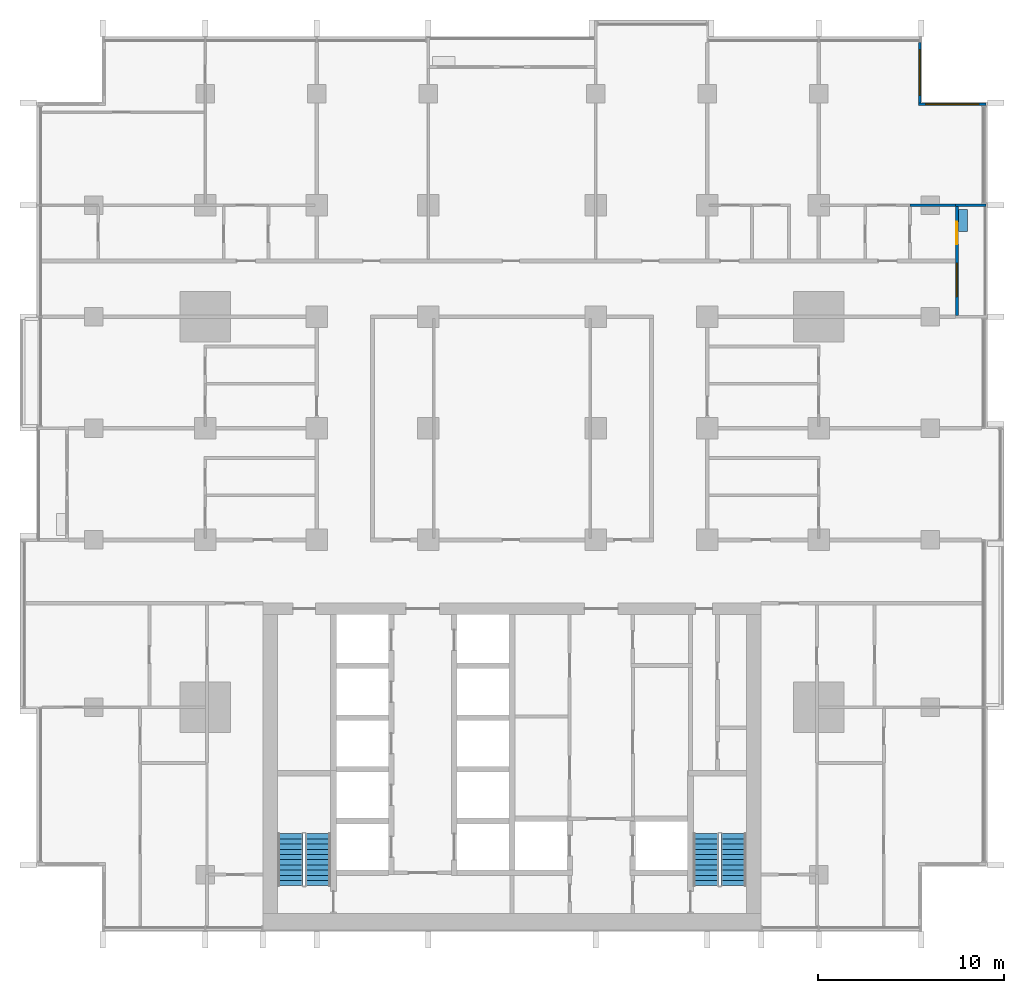
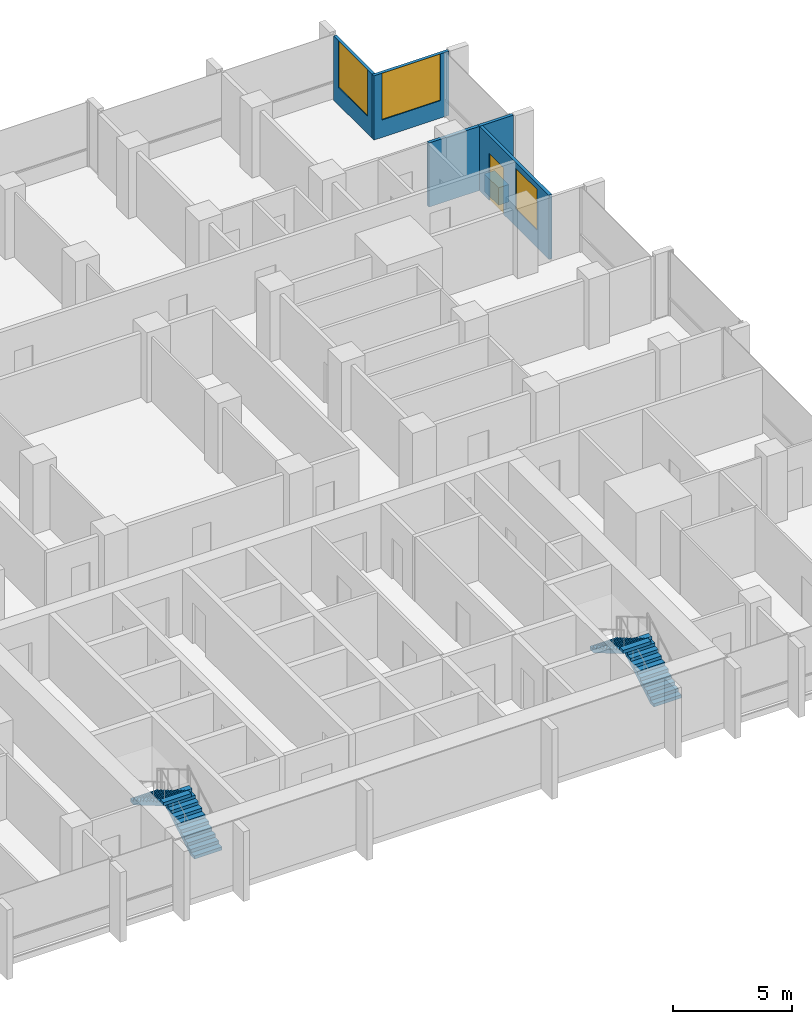
# One storey, part 12 of 17: 6 walls, 4 stair flights, 3 windows, 1 door, 4 openings, 2 elements without a shape of their own.
"""IFC4 building model written with IfcOpenShell, lengths in metres."""

from ifc_helpers import new_model, si_unit, direction, frame, frame_2d, origin, place, context, subcontext, project, spatial, polyline, rectangle, outline, extrude, material, layer, layer_set, type_object, element, fill, aggregate, save


model = new_model("IFC4")

# Units and contexts
model_context = context("Model", 3, precision=1e-05, world=origin(), true_north=direction((0.0, 1.0)))
body_context = subcontext(model_context, "Body", "Model", "MODEL_VIEW")
ifc_project = project(units=[si_unit("LENGTHUNIT", "METRE"), si_unit("AREAUNIT", "SQUARE_METRE"), si_unit("VOLUMEUNIT", "CUBIC_METRE"), si_unit("PLANEANGLEUNIT", "RADIAN"), si_unit("MASSUNIT", "GRAM", prefix="KILO")], contexts=[model_context])

# Site, building, storey
site_placement = place(None, origin())
site = spatial("IfcSite", under=ifc_project, at=site_placement, CompositionType="ELEMENT")
building_placement = place(site_placement, origin())
building = spatial("IfcBuilding", under=site, at=building_placement, Name="Finial Court Residences", CompositionType="ELEMENT")
storey_placement = place(building_placement, frame((0.0, 0.0, 113.5)))
storey = spatial("IfcBuildingStorey", under=building, at=storey_placement, Name="L28", CompositionType="ELEMENT", Elevation=113.5)

# Wall
ifc_material_1 = material(Name="Moisture-resistant gypsum board")
ifc_layer_1 = layer(ifc_material_1, 0.012451171875)
ifc_material_2 = material(Name="Mineral wool in light-gauge frame")
ifc_layer_2 = layer(ifc_material_2, 0.125)
ifc_layer_3 = layer(ifc_material_1, 0.012451171875)
ifc_layer_set_1 = layer_set([ifc_layer_1, ifc_layer_2, ifc_layer_3], Name="Gypsum board wet-area partition 150")
wall_type_1 = type_object("IfcWallType", Name="Gypsum board wet-area partition 150", PredefinedType="PARTITIONING", material=ifc_layer_set_1)
wall_1_placement = place(storey_placement, frame((21.39990234375, 13.5, 0.0), z_axis=(0.0, 0.0, 1.0), x_axis=(1.0, 0.0, 0.0)))
element("IfcWall", 1, at=wall_1_placement, inside=storey, type_object=wall_type_1, Name="Partition L28-035", PredefinedType="PARTITIONING", context=body_context, shape_type="SweptSolid", body=[
    extrude(rectangle(XDim=2.4501953125, YDim=0.14990234375, at=frame_2d((1.22509765625, 0.0))), origin(), (0.0, 0.0, 1.0), 3.300048828125),
])

# Wall, opening, window
ifc_material_3 = material(Name="Natural limestone", Category="masonry")
ifc_layer_4 = layer(ifc_material_3, 0.14990234375)
ifc_layer_set_2 = layer_set([ifc_layer_4], Name="Limestone clad wall 150")
wall_type_2 = type_object("IfcWallType", Name="Limestone clad wall 150", PredefinedType="SOLIDWALL", material=ifc_layer_set_2)
wall_2_placement = place(storey_placement, frame((21.925048828125, 22.25, 0.0), z_axis=(0.0, 0.0, 1.0), x_axis=(0.0, -1.0, 0.0)))
wall_2 = element("IfcWall", 2, at=wall_2_placement, inside=storey, type_object=wall_type_2, Name="E-L28-NWE19", PredefinedType="SOLIDWALL", context=body_context, shape_type="SweptSolid", body=[
    extrude(rectangle(XDim=3.25, YDim=0.14990234375, at=frame_2d((1.625, 0.0))), origin(), (0.0, 0.0, 1.0), 3.300048828125),
])
opening_1_placement = place(wall_2_placement, frame((0.39990234375, 0.0, 0.89990234375)))
opening_1 = element("IfcOpeningElement", 3, at=opening_1_placement, cuts=wall_2, Name="Opening WE28-07", PredefinedType="OPENING", context=body_context, shape_type="SweptSolid", body=[
    extrude(rectangle(XDim=2.449951171875, YDim=2.39990234375, at=frame_2d((1.22509765625, 1.199951171875))), frame((0.0, 0.0849609375, 0.0), z_axis=(0.0, -1.0, 0.0), x_axis=(1.0, 0.0, 0.0)), (0.0, 0.0, 1.0), 0.169921875),
])
ifc_material_4 = material(Name="Clear low-e glass", Category="glass")
window_type_1 = type_object("IfcWindowType", Name="Corner window 2450 x 2400", PartitioningType="SINGLE_PANEL", PredefinedType="WINDOW", material=ifc_material_4)
window_1_placement = place(opening_1_placement, origin())
window_1 = element("IfcWindow", 4, at=window_1_placement, inside=storey, type_object=window_type_1, Name="E-L28-NWE19-W1", OverallHeight=2.39990234375, OverallWidth=2.449951171875, PartitioningType="SINGLE_PANEL", PredefinedType="WINDOW", context=body_context, shape_type="SweptSolid", body=[
    extrude(rectangle(XDim=2.449951171875, YDim=2.39990234375, at=frame_2d((1.22509765625, 1.199951171875))), frame((0.0, 0.030029296875, 0.0), z_axis=(0.0, -1.0, 0.0), x_axis=(1.0, 0.0, 0.0)), (0.0, 0.0, 1.0), 0.06005859375),
])
fill(opening_1, window_1)

wall_3_placement = place(storey_placement, frame((21.85009765625, 18.925048828125, 0.0), z_axis=(0.0, 0.0, 1.0), x_axis=(1.0, 0.0, 0.0)))
wall_3 = element("IfcWall", 5, at=wall_3_placement, inside=storey, type_object=wall_type_2, Name="E-L28-NWN20", PredefinedType="SOLIDWALL", context=body_context, shape_type="SweptSolid", body=[
    extrude(rectangle(XDim=3.64990234375, YDim=0.14990234375, at=frame_2d((1.824951171875, 0.0))), origin(), (0.0, 0.0, 1.0), 3.300048828125),
])
opening_2_placement = place(wall_3_placement, frame((0.39990234375, 0.0, 0.89990234375)))
opening_2 = element("IfcOpeningElement", 6, at=opening_2_placement, cuts=wall_3, Name="Opening WE28-08", PredefinedType="OPENING", context=body_context, shape_type="SweptSolid", body=[
    extrude(rectangle(XDim=2.85009765625, YDim=2.39990234375, at=frame_2d((1.425048828125, 1.199951171875))), frame((0.0, 0.0849609375, 0.0), z_axis=(0.0, -1.0, 0.0), x_axis=(1.0, 0.0, 0.0)), (0.0, 0.0, 1.0), 0.169921875),
])
window_type_2 = type_object("IfcWindowType", Name="Corner window 2850 x 2400", PartitioningType="SINGLE_PANEL", PredefinedType="WINDOW", material=ifc_material_4)
window_2_placement = place(opening_2_placement, origin())
window_2 = element("IfcWindow", 7, at=window_2_placement, inside=storey, type_object=window_type_2, Name="E-L28-NWN20-W1", OverallHeight=2.39990234375, OverallWidth=2.85009765625, PartitioningType="SINGLE_PANEL", PredefinedType="WINDOW", context=body_context, shape_type="SweptSolid", body=[
    extrude(rectangle(XDim=2.85009765625, YDim=2.39990234375, at=frame_2d((1.425048828125, 1.199951171875))), frame((0.0, 0.030029296875, 0.0), z_axis=(0.0, -1.0, 0.0), x_axis=(1.0, 0.0, 0.0)), (0.0, 0.0, 1.0), 0.06005859375),
])
fill(opening_2, window_2)

# Wall
wall_4_placement = place(storey_placement, frame((23.85009765625, 13.5, 0.0), z_axis=(0.0, 0.0, 1.0), x_axis=(1.0, 0.0, 0.0)))
element("IfcWall", 8, at=wall_4_placement, inside=storey, type_object=wall_type_2, Name="E-L28-BALE5-P2", PredefinedType="SOLIDWALL", context=body_context, shape_type="SweptSolid", body=[
    extrude(rectangle(XDim=1.64990234375, YDim=0.14990234375, at=frame_2d((0.824951171875, 0.0))), origin(), (0.0, 0.0, 1.0), 3.300048828125),
])

# Wall, openings, door, window
wall_5_placement = place(storey_placement, frame((23.925048828125, 13.425048828125, 0.0), z_axis=(0.0, 0.0, 1.0), x_axis=(0.0, -1.0, 0.0)))
wall_5 = element("IfcWall", 9, at=wall_5_placement, inside=storey, type_object=wall_type_2, Name="E-L28-L28-BALE5-W", PredefinedType="SOLIDWALL", context=body_context, shape_type="SweptSolid", body=[
    extrude(rectangle(XDim=5.85009765625, YDim=0.14990234375, at=frame_2d((2.925048828125, 0.0))), origin(), (0.0, 0.0, 1.0), 3.300048828125),
])
opening_3_placement = place(wall_5_placement, frame((0.824951171875, 0.0, 0.0)))
opening_3 = element("IfcOpeningElement", 10, at=opening_3_placement, cuts=wall_5, Name="Opening DE28-02", PredefinedType="OPENING", context=body_context, shape_type="SweptSolid", body=[
    extrude(rectangle(XDim=1.199951171875, YDim=2.39990234375, at=frame_2d((0.60009765625, 1.199951171875))), frame((0.0, 0.0849609375, 0.0), z_axis=(0.0, -1.0, 0.0), x_axis=(1.0, 0.0, 0.0)), (0.0, 0.0, 1.0), 0.169921875),
])
opening_4_placement = place(wall_5_placement, frame((3.03759765625, 0.0, 0.89990234375)))
opening_4 = element("IfcOpeningElement", 11, at=opening_4_placement, cuts=wall_5, Name="Opening WE28-11", PredefinedType="OPENING", context=body_context, shape_type="SweptSolid", body=[
    extrude(rectangle(XDim=1.800048828125, YDim=2.10009765625, at=frame_2d((0.89990234375, 1.050048828125))), frame((0.0, 0.0849609375, 0.0), z_axis=(0.0, -1.0, 0.0), x_axis=(1.0, 0.0, 0.0)), (0.0, 0.0, 1.0), 0.169921875),
])
ifc_material_5 = material(Name="Bronze anodised aluminium", Category="aluminium")
door_type = type_object("IfcDoorType", Name="Balcony door 1200 x 2400", OperationType="SINGLE_SWING_LEFT", PredefinedType="DOOR", material=ifc_material_5)
door_placement = place(opening_3_placement, origin())
door = element("IfcDoor", 12, at=door_placement, inside=storey, type_object=door_type, Name="E-L28-L28-BALE5-W-D", OperationType="SINGLE_SWING_LEFT", OverallHeight=2.39990234375, OverallWidth=1.199951171875, PredefinedType="DOOR", context=body_context, shape_type="SweptSolid", body=[
    extrude(rectangle(XDim=1.199951171875, YDim=2.39990234375, at=frame_2d((0.60009765625, 1.199951171875))), frame((0.0, 0.02490234375, 0.0), z_axis=(0.0, -1.0, 0.0), x_axis=(1.0, 0.0, 0.0)), (0.0, 0.0, 1.0), 0.050048828125),
])
fill(opening_3, door)
window_type_3 = type_object("IfcWindowType", Name="Balcony window 1800 x 2100", PartitioningType="SINGLE_PANEL", PredefinedType="WINDOW", material=ifc_material_4)
window_3_placement = place(opening_4_placement, origin())
window_3 = element("IfcWindow", 13, at=window_3_placement, inside=storey, type_object=window_type_3, Name="E-L28-L28-BALE5-W-W1", OverallHeight=2.10009765625, OverallWidth=1.800048828125, PartitioningType="SINGLE_PANEL", PredefinedType="WINDOW", context=body_context, shape_type="SweptSolid", body=[
    extrude(rectangle(XDim=1.800048828125, YDim=2.10009765625, at=frame_2d((0.89990234375, 1.050048828125))), frame((0.0, 0.030029296875, 0.0), z_axis=(0.0, -1.0, 0.0), x_axis=(1.0, 0.0, 0.0)), (0.0, 0.0, 1.0), 0.06005859375),
])
fill(opening_4, window_3)

# Wall
ifc_material_6 = material(Name="Concrete C40/50", Category="concrete")
ifc_layer_5 = layer(ifc_material_6, 0.10009765625)
ifc_material_7 = material(Name="Planting soil", Category="soil")
ifc_layer_6 = layer(ifc_material_7, 0.300048828125)
ifc_layer_7 = layer(ifc_material_6, 0.10009765625)
ifc_layer_set_3 = layer_set([ifc_layer_5, ifc_layer_6, ifc_layer_7], Name="Planter wall, balcony")
wall_type_3 = type_object("IfcWallType", Name="Planter wall, balcony", PredefinedType="USERDEFINED", material=ifc_layer_set_3)
wall_6_placement = place(storey_placement, frame((24.25, 12.074951171875, 0.0), z_axis=(0.0, 0.0, 1.0), x_axis=(0.0, 1.0, 0.0)))
element("IfcWall", 14, at=wall_6_placement, inside=storey, type_object=wall_type_3, Name="E-L28-BALE5-PL", ObjectType="PLANTER", PredefinedType="USERDEFINED", context=body_context, shape_type="SweptSolid", body=[
    extrude(rectangle(XDim=1.199951171875, YDim=0.5, at=frame_2d((0.60009765625, 0.0))), origin(), (0.0, 0.0, 1.0), 0.89990234375),
])

# Stair, stair flights
ifc_material_8 = material(Name="Concrete C50/60", Category="concrete")
stair_type = type_object("IfcStairType", Name="Exit stair 22 risers of 163.6 mm", PredefinedType="HALF_TURN_STAIR", material=ifc_material_8)
stair_1_placement = place(storey_placement, origin())
stair_1 = element("IfcStair", 15, at=stair_1_placement, inside=storey, type_object=stair_type, Name="L28 Exit stair ST-1", PredefinedType="HALF_TURN_STAIR")
stair_flight_type = type_object("IfcStairFlightType", Name="Exit stair flight", PredefinedType="STRAIGHT", material=ifc_material_8)
stair_flight_1_placement = place(storey_placement, frame((-10.425048828125, -23.10009765625, 0.0), z_axis=(0.0, 0.0, 1.0), x_axis=(0.0, 1.0, 0.0)))
stair_flight_1 = element("IfcStairFlight", 16, at=stair_flight_1_placement, type_object=stair_flight_type, Name="ST-1 flight 1", NumberOfRisers=11, NumberOfTreads=10, PredefinedType="STRAIGHT", RiserHeight=0.163636364, TreadLength=0.28, context=body_context, shape_type="SweptSolid", body=[
    extrude(outline(polyline([(0.0, 0.0), (0.0, 0.16357421875), (0.280029296875, 0.16357421875), (0.280029296875, 0.327392578125), (0.56005859375, 0.327392578125), (0.56005859375, 0.490966796875), (0.840087890625, 0.490966796875), (0.840087890625, 0.654541015625), (1.1201171875, 0.654541015625), (1.1201171875, 0.818115234375), (1.39990234375, 0.818115234375), (1.39990234375, 0.98193359375), (1.679931640625, 0.98193359375), (1.679931640625, 1.1455078125), (1.9599609375, 1.1455078125), (1.9599609375, 1.30908203125), (2.239990234375, 1.30908203125), (2.239990234375, 1.47265625), (2.52001953125, 1.47265625), (2.52001953125, 1.636474609375), (2.800048828125, 1.636474609375), (2.800048828125, 1.800048828125), (2.800048828125, 1.462646484375), (0.297119140625, 0.0), (0.0, 0.0)])), frame((0.0, 0.675048828125, 0.0), z_axis=(0.0, -1.0, 0.0), x_axis=(1.0, 0.0, 0.0)), (0.0, 0.0, 1.0), 1.35009765625),
])
stair_flight_2_placement = place(storey_placement, frame((-11.925048828125, -20.300048828125, 1.800048828125), z_axis=(0.0, 0.0, 1.0), x_axis=(0.0, -1.0, 0.0)))
stair_flight_2 = element("IfcStairFlight", 17, at=stair_flight_2_placement, type_object=stair_flight_type, Name="ST-1 flight 2", NumberOfRisers=11, NumberOfTreads=10, PredefinedType="STRAIGHT", RiserHeight=0.163636364, TreadLength=0.28, context=body_context, shape_type="SweptSolid", body=[
    extrude(outline(polyline([(0.0, 0.0), (0.0, 0.16357421875), (0.280029296875, 0.16357421875), (0.280029296875, 0.327392578125), (0.56005859375, 0.327392578125), (0.56005859375, 0.490966796875), (0.840087890625, 0.490966796875), (0.840087890625, 0.654541015625), (1.1201171875, 0.654541015625), (1.1201171875, 0.818115234375), (1.39990234375, 0.818115234375), (1.39990234375, 0.98193359375), (1.679931640625, 0.98193359375), (1.679931640625, 1.1455078125), (1.9599609375, 1.1455078125), (1.9599609375, 1.30908203125), (2.239990234375, 1.30908203125), (2.239990234375, 1.47265625), (2.52001953125, 1.47265625), (2.52001953125, 1.636474609375), (2.800048828125, 1.636474609375), (2.800048828125, 1.800048828125), (2.800048828125, 1.462646484375), (0.297119140625, 0.0), (0.0, 0.0)])), frame((0.0, 0.675048828125, 0.0), z_axis=(0.0, -1.0, 0.0), x_axis=(1.0, 0.0, 0.0)), (0.0, 0.0, 1.0), 1.35009765625),
])
aggregate(stair_1, [stair_flight_1, stair_flight_2])

stair_2_placement = place(storey_placement, origin())
stair_2 = element("IfcStair", 18, at=stair_2_placement, inside=storey, type_object=stair_type, Name="L28 Exit stair ST-2", PredefinedType="HALF_TURN_STAIR")
stair_flight_3_placement = place(storey_placement, frame((11.925048828125, -23.10009765625, 0.0), z_axis=(0.0, 0.0, 1.0), x_axis=(0.0, 1.0, 0.0)))
stair_flight_3 = element("IfcStairFlight", 19, at=stair_flight_3_placement, type_object=stair_flight_type, Name="ST-2 flight 1", NumberOfRisers=11, NumberOfTreads=10, PredefinedType="STRAIGHT", RiserHeight=0.163636364, TreadLength=0.28, context=body_context, shape_type="SweptSolid", body=[
    extrude(outline(polyline([(0.0, 0.0), (0.0, 0.16357421875), (0.280029296875, 0.16357421875), (0.280029296875, 0.327392578125), (0.56005859375, 0.327392578125), (0.56005859375, 0.490966796875), (0.840087890625, 0.490966796875), (0.840087890625, 0.654541015625), (1.1201171875, 0.654541015625), (1.1201171875, 0.818115234375), (1.39990234375, 0.818115234375), (1.39990234375, 0.98193359375), (1.679931640625, 0.98193359375), (1.679931640625, 1.1455078125), (1.9599609375, 1.1455078125), (1.9599609375, 1.30908203125), (2.239990234375, 1.30908203125), (2.239990234375, 1.47265625), (2.52001953125, 1.47265625), (2.52001953125, 1.636474609375), (2.800048828125, 1.636474609375), (2.800048828125, 1.800048828125), (2.800048828125, 1.462646484375), (0.297119140625, 0.0), (0.0, 0.0)])), frame((0.0, 0.675048828125, 0.0), z_axis=(0.0, -1.0, 0.0), x_axis=(1.0, 0.0, 0.0)), (0.0, 0.0, 1.0), 1.35009765625),
])
stair_flight_4_placement = place(storey_placement, frame((10.425048828125, -20.300048828125, 1.800048828125), z_axis=(0.0, 0.0, 1.0), x_axis=(0.0, -1.0, 0.0)))
stair_flight_4 = element("IfcStairFlight", 20, at=stair_flight_4_placement, type_object=stair_flight_type, Name="ST-2 flight 2", NumberOfRisers=11, NumberOfTreads=10, PredefinedType="STRAIGHT", RiserHeight=0.163636364, TreadLength=0.28, context=body_context, shape_type="SweptSolid", body=[
    extrude(outline(polyline([(0.0, 0.0), (0.0, 0.16357421875), (0.280029296875, 0.16357421875), (0.280029296875, 0.327392578125), (0.56005859375, 0.327392578125), (0.56005859375, 0.490966796875), (0.840087890625, 0.490966796875), (0.840087890625, 0.654541015625), (1.1201171875, 0.654541015625), (1.1201171875, 0.818115234375), (1.39990234375, 0.818115234375), (1.39990234375, 0.98193359375), (1.679931640625, 0.98193359375), (1.679931640625, 1.1455078125), (1.9599609375, 1.1455078125), (1.9599609375, 1.30908203125), (2.239990234375, 1.30908203125), (2.239990234375, 1.47265625), (2.52001953125, 1.47265625), (2.52001953125, 1.636474609375), (2.800048828125, 1.636474609375), (2.800048828125, 1.800048828125), (2.800048828125, 1.462646484375), (0.297119140625, 0.0), (0.0, 0.0)])), frame((0.0, 0.675048828125, 0.0), z_axis=(0.0, -1.0, 0.0), x_axis=(1.0, 0.0, 0.0)), (0.0, 0.0, 1.0), 1.35009765625),
])
aggregate(stair_2, [stair_flight_3, stair_flight_4])

save(model, "model.ifc")
